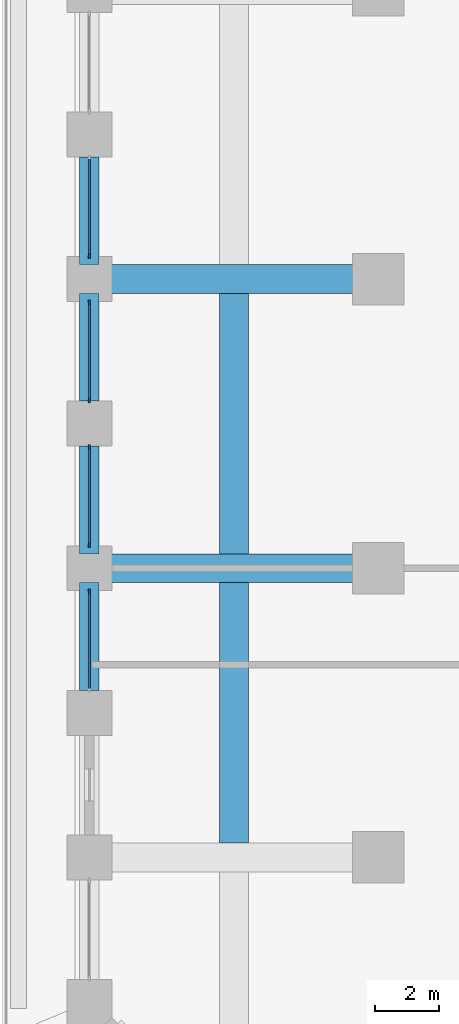
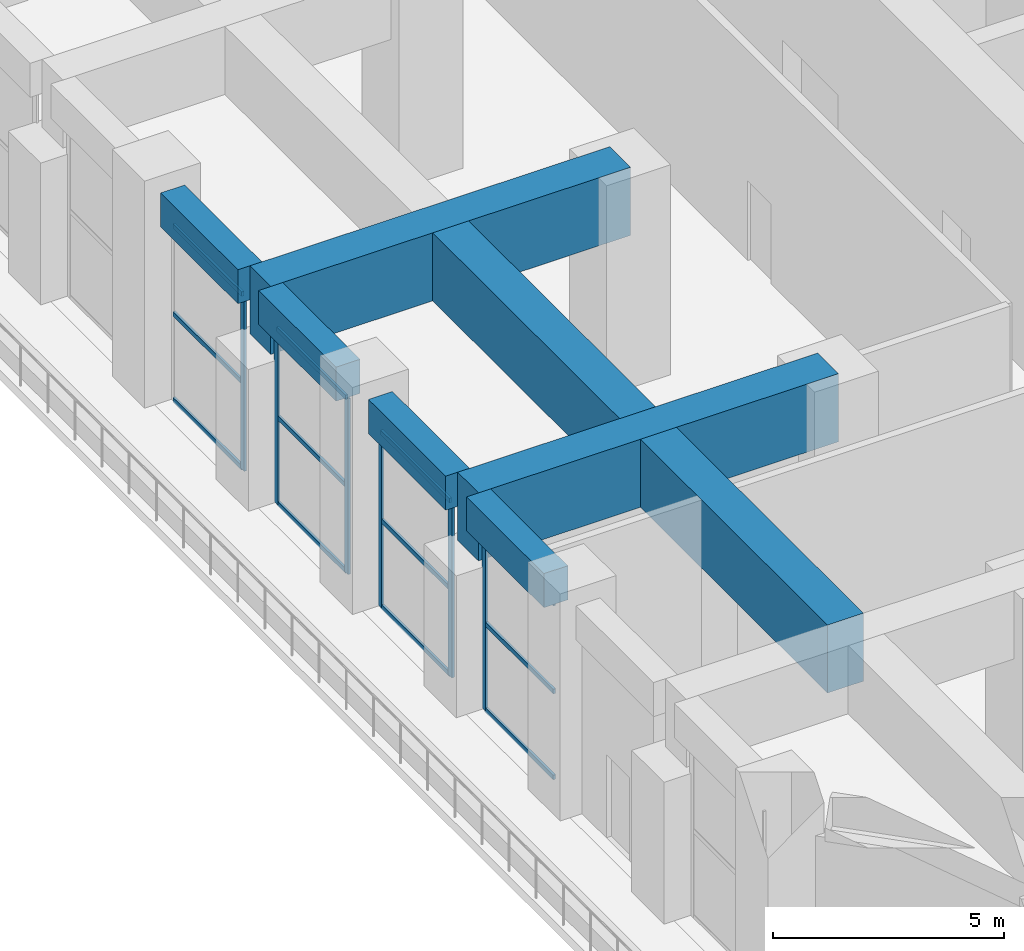
# One storey, part 3 of 21: 18 members, 8 beams, 4 elements without a shape of their own.
"""IFC4 building model written with IfcOpenShell, lengths in metres."""

from ifc_helpers import new_model, si_unit, direction, frame, origin, origin_2d, place, context, subcontext, project, spatial, rectangle, extrude, material, material_profile, profile_set, type_object, element, aggregate, save


model = new_model("IFC4")

# Units and contexts
model_context = context("Model", 3, precision=1e-05, world=origin(), true_north=direction((0.0, 1.0)))
body_context = subcontext(model_context, "Body", "Model", "MODEL_VIEW")
ifc_project = project(units=[si_unit("LENGTHUNIT", "METRE"), si_unit("AREAUNIT", "SQUARE_METRE"), si_unit("VOLUMEUNIT", "CUBIC_METRE"), si_unit("PLANEANGLEUNIT", "RADIAN"), si_unit("MASSUNIT", "GRAM", prefix="KILO")], contexts=[model_context])

# Site, building, storey
site_placement = place(None, origin())
site = spatial("IfcSite", under=ifc_project, at=site_placement, CompositionType="ELEMENT")
building_placement = place(site_placement, origin())
building = spatial("IfcBuilding", under=site, at=building_placement, Name="Corbel Stack Research Tower", CompositionType="ELEMENT")
storey_placement = place(building_placement, frame((0.0, 0.0, 35.89990234375)))
storey = spatial("IfcBuildingStorey", under=building, at=storey_placement, Name="L08", CompositionType="ELEMENT", Elevation=35.89990234375)

# Curtain wall, member
ifc_material_1 = material(Name="Aluminium frame, clear glass", Category="aluminium")
curtain_wall_type = type_object("IfcCurtainWallType", Name="Amenity floor curtain wall CW2", PredefinedType="NOTDEFINED", material=ifc_material_1)
curtain_wall_1_placement = place(storey_placement, origin())
curtain_wall_1 = element("IfcCurtainWall", 1, at=curtain_wall_1_placement, inside=storey, type_object=curtain_wall_type, Name="Curtain wall CW2 L08 W05", PredefinedType="NOTDEFINED")
ifc_material_2 = material(Name="Aluminium mullion", Category="aluminium")
ifc_material_profile_1 = material_profile(ifc_material_2, rectangle(XDim=0.06005859375, YDim=0.159912109375, at=origin_2d()), Name="Mullion 60 x 160")
ifc_profile_set_1 = profile_set([ifc_material_profile_1], Name="Aluminium mullion")
member_type_1 = type_object("IfcMemberType", Name="Curtain wall mullion 60 x 160", PredefinedType="MULLION", material=ifc_profile_set_1)
member_1_placement = place(storey_placement, frame((-27.0, 0.72998046875, 0.0), z_axis=(0.0, 0.0, 1.0), x_axis=(1.0, 0.0, 0.0)))
member_1 = element("IfcMember", 2, at=member_1_placement, type_object=member_type_1, Name="CW2 L08 W05 mullion 2", PredefinedType="MULLION", context=body_context, shape_type="SweptSolid", body=[
    extrude(rectangle(XDim=0.06005859375, YDim=0.159912109375, at=origin_2d()), origin(), (0.0, 0.0, 1.0), 4.650146484375),
])

# Curtain wall, members
curtain_wall_2_placement = place(storey_placement, origin())
curtain_wall_2 = element("IfcCurtainWall", 3, at=curtain_wall_2_placement, inside=storey, type_object=curtain_wall_type, Name="Curtain wall CW2 L08 W06", PredefinedType="NOTDEFINED")
member_2_placement = place(storey_placement, frame((-27.0, -0.72998046875, 0.0), z_axis=(0.0, 0.0, 1.0), x_axis=(1.0, 0.0, 0.0)))
member_2 = element("IfcMember", 4, at=member_2_placement, type_object=member_type_1, Name="CW2 L08 W06 mullion 1", PredefinedType="MULLION", context=body_context, shape_type="SweptSolid", body=[
    extrude(rectangle(XDim=0.06005859375, YDim=0.159912109375, at=origin_2d()), origin(), (0.0, 0.0, 1.0), 4.650146484375),
])
member_3_placement = place(storey_placement, frame((-27.0, -3.77001953125, 0.0), z_axis=(0.0, 0.0, 1.0), x_axis=(1.0, 0.0, 0.0)))
member_3 = element("IfcMember", 5, at=member_3_placement, type_object=member_type_1, Name="CW2 L08 W06 mullion 2", PredefinedType="MULLION", context=body_context, shape_type="SweptSolid", body=[
    extrude(rectangle(XDim=0.06005859375, YDim=0.159912109375, at=origin_2d()), origin(), (0.0, 0.0, 1.0), 4.650146484375),
])

curtain_wall_3_placement = place(storey_placement, origin())
curtain_wall_3 = element("IfcCurtainWall", 6, at=curtain_wall_3_placement, inside=storey, type_object=curtain_wall_type, Name="Curtain wall CW2 L08 W07", PredefinedType="NOTDEFINED")
member_4_placement = place(storey_placement, frame((-27.0, -5.22998046875, 0.0), z_axis=(0.0, 0.0, 1.0), x_axis=(1.0, 0.0, 0.0)))
member_4 = element("IfcMember", 7, at=member_4_placement, type_object=member_type_1, Name="CW2 L08 W07 mullion 1", PredefinedType="MULLION", context=body_context, shape_type="SweptSolid", body=[
    extrude(rectangle(XDim=0.06005859375, YDim=0.159912109375, at=origin_2d()), origin(), (0.0, 0.0, 1.0), 4.650146484375),
])
member_5_placement = place(storey_placement, frame((-27.0, -8.27001953125, 0.0), z_axis=(0.0, 0.0, 1.0), x_axis=(1.0, 0.0, 0.0)))
member_5 = element("IfcMember", 8, at=member_5_placement, type_object=member_type_1, Name="CW2 L08 W07 mullion 2", PredefinedType="MULLION", context=body_context, shape_type="SweptSolid", body=[
    extrude(rectangle(XDim=0.06005859375, YDim=0.159912109375, at=origin_2d()), origin(), (0.0, 0.0, 1.0), 4.650146484375),
])

# Curtain wall, member
curtain_wall_4_placement = place(storey_placement, origin())
curtain_wall_4 = element("IfcCurtainWall", 9, at=curtain_wall_4_placement, inside=storey, type_object=curtain_wall_type, Name="Curtain wall CW2 L08 W08", PredefinedType="NOTDEFINED")
member_6_placement = place(storey_placement, frame((-27.0, -9.72998046875, 0.0), z_axis=(0.0, 0.0, 1.0), x_axis=(1.0, 0.0, 0.0)))
member_6 = element("IfcMember", 10, at=member_6_placement, type_object=member_type_1, Name="CW2 L08 W08 mullion 1", PredefinedType="MULLION", context=body_context, shape_type="SweptSolid", body=[
    extrude(rectangle(XDim=0.06005859375, YDim=0.159912109375, at=origin_2d()), origin(), (0.0, 0.0, 1.0), 4.650146484375),
])

# Member
ifc_material_3 = material(Name="Aluminium transom", Category="aluminium")
ifc_material_profile_2 = material_profile(ifc_material_3, rectangle(XDim=0.06005859375, YDim=0.1201171875, at=origin_2d()), Name="Transom 60 x 120")
ifc_profile_set_2 = profile_set([ifc_material_profile_2], Name="Aluminium transom")
member_type_2 = type_object("IfcMemberType", Name="Curtain wall transom 60 x 120", PredefinedType="USERDEFINED", material=ifc_profile_set_2)
member_7_placement = place(storey_placement, frame((-27.0, 3.739990234375, 0.030029296875), z_axis=(0.0, -1.0, 0.0), x_axis=(1.0, 0.0, 0.0)))
member_7 = element("IfcMember", 11, at=member_7_placement, type_object=member_type_2, Name="CW2 L08 W05 transom 1.1", ObjectType="TRANSOM", PredefinedType="USERDEFINED", context=body_context, shape_type="SweptSolid", body=[
    extrude(rectangle(XDim=0.06005859375, YDim=0.1201171875, at=origin_2d()), origin(), (0.0, 0.0, 1.0), 2.97998046875),
])

member_8_placement = place(storey_placement, frame((-27.0, 3.739990234375, 2.300048828125), z_axis=(0.0, -1.0, 0.0), x_axis=(1.0, 0.0, 0.0)))
member_8 = element("IfcMember", 12, at=member_8_placement, type_object=member_type_2, Name="CW2 L08 W05 transom 1.2", ObjectType="TRANSOM", PredefinedType="USERDEFINED", context=body_context, shape_type="SweptSolid", body=[
    extrude(rectangle(XDim=0.06005859375, YDim=0.1201171875, at=origin_2d()), origin(), (0.0, 0.0, 1.0), 2.97998046875),
])

member_9_placement = place(storey_placement, frame((-27.0, 3.739990234375, 4.6201171875), z_axis=(0.0, -1.0, 0.0), x_axis=(1.0, 0.0, 0.0)))
member_9 = element("IfcMember", 13, at=member_9_placement, type_object=member_type_2, Name="CW2 L08 W05 transom 1.3", ObjectType="TRANSOM", PredefinedType="USERDEFINED", context=body_context, shape_type="SweptSolid", body=[
    extrude(rectangle(XDim=0.06005859375, YDim=0.1201171875, at=origin_2d()), origin(), (0.0, 0.0, 1.0), 2.97998046875),
])

aggregate(curtain_wall_1, [member_1, member_7, member_8, member_9])

member_10_placement = place(storey_placement, frame((-27.0, -0.760009765625, 0.030029296875), z_axis=(0.0, -1.0, 0.0), x_axis=(1.0, 0.0, 0.0)))
member_10 = element("IfcMember", 14, at=member_10_placement, type_object=member_type_2, Name="CW2 L08 W06 transom 1.1", ObjectType="TRANSOM", PredefinedType="USERDEFINED", context=body_context, shape_type="SweptSolid", body=[
    extrude(rectangle(XDim=0.06005859375, YDim=0.1201171875, at=origin_2d()), origin(), (0.0, 0.0, 1.0), 2.97998046875),
])

member_11_placement = place(storey_placement, frame((-27.0, -0.760009765625, 2.300048828125), z_axis=(0.0, -1.0, 0.0), x_axis=(1.0, 0.0, 0.0)))
member_11 = element("IfcMember", 15, at=member_11_placement, type_object=member_type_2, Name="CW2 L08 W06 transom 1.2", ObjectType="TRANSOM", PredefinedType="USERDEFINED", context=body_context, shape_type="SweptSolid", body=[
    extrude(rectangle(XDim=0.06005859375, YDim=0.1201171875, at=origin_2d()), origin(), (0.0, 0.0, 1.0), 2.97998046875),
])

member_12_placement = place(storey_placement, frame((-27.0, -0.760009765625, 4.6201171875), z_axis=(0.0, -1.0, 0.0), x_axis=(1.0, 0.0, 0.0)))
member_12 = element("IfcMember", 16, at=member_12_placement, type_object=member_type_2, Name="CW2 L08 W06 transom 1.3", ObjectType="TRANSOM", PredefinedType="USERDEFINED", context=body_context, shape_type="SweptSolid", body=[
    extrude(rectangle(XDim=0.06005859375, YDim=0.1201171875, at=origin_2d()), origin(), (0.0, 0.0, 1.0), 2.97998046875),
])

aggregate(curtain_wall_2, [member_2, member_3, member_10, member_11, member_12])

member_13_placement = place(storey_placement, frame((-27.0, -5.260009765625, 0.030029296875), z_axis=(0.0, -1.0, 0.0), x_axis=(1.0, 0.0, 0.0)))
member_13 = element("IfcMember", 17, at=member_13_placement, type_object=member_type_2, Name="CW2 L08 W07 transom 1.1", ObjectType="TRANSOM", PredefinedType="USERDEFINED", context=body_context, shape_type="SweptSolid", body=[
    extrude(rectangle(XDim=0.06005859375, YDim=0.1201171875, at=origin_2d()), origin(), (0.0, 0.0, 1.0), 2.97998046875),
])

member_14_placement = place(storey_placement, frame((-27.0, -5.260009765625, 2.300048828125), z_axis=(0.0, -1.0, 0.0), x_axis=(1.0, 0.0, 0.0)))
member_14 = element("IfcMember", 18, at=member_14_placement, type_object=member_type_2, Name="CW2 L08 W07 transom 1.2", ObjectType="TRANSOM", PredefinedType="USERDEFINED", context=body_context, shape_type="SweptSolid", body=[
    extrude(rectangle(XDim=0.06005859375, YDim=0.1201171875, at=origin_2d()), origin(), (0.0, 0.0, 1.0), 2.97998046875),
])

member_15_placement = place(storey_placement, frame((-27.0, -5.260009765625, 4.6201171875), z_axis=(0.0, -1.0, 0.0), x_axis=(1.0, 0.0, 0.0)))
member_15 = element("IfcMember", 19, at=member_15_placement, type_object=member_type_2, Name="CW2 L08 W07 transom 1.3", ObjectType="TRANSOM", PredefinedType="USERDEFINED", context=body_context, shape_type="SweptSolid", body=[
    extrude(rectangle(XDim=0.06005859375, YDim=0.1201171875, at=origin_2d()), origin(), (0.0, 0.0, 1.0), 2.97998046875),
])

aggregate(curtain_wall_3, [member_4, member_5, member_13, member_14, member_15])

member_16_placement = place(storey_placement, frame((-27.0, -9.760009765625, 0.030029296875), z_axis=(0.0, -1.0, 0.0), x_axis=(1.0, 0.0, 0.0)))
member_16 = element("IfcMember", 20, at=member_16_placement, type_object=member_type_2, Name="CW2 L08 W08 transom 1.1", ObjectType="TRANSOM", PredefinedType="USERDEFINED", context=body_context, shape_type="SweptSolid", body=[
    extrude(rectangle(XDim=0.06005859375, YDim=0.1201171875, at=origin_2d()), origin(), (0.0, 0.0, 1.0), 2.97998046875),
])

member_17_placement = place(storey_placement, frame((-27.0, -9.760009765625, 2.300048828125), z_axis=(0.0, -1.0, 0.0), x_axis=(1.0, 0.0, 0.0)))
member_17 = element("IfcMember", 21, at=member_17_placement, type_object=member_type_2, Name="CW2 L08 W08 transom 1.2", ObjectType="TRANSOM", PredefinedType="USERDEFINED", context=body_context, shape_type="SweptSolid", body=[
    extrude(rectangle(XDim=0.06005859375, YDim=0.1201171875, at=origin_2d()), origin(), (0.0, 0.0, 1.0), 2.97998046875),
])

member_18_placement = place(storey_placement, frame((-27.0, -9.760009765625, 4.6201171875), z_axis=(0.0, -1.0, 0.0), x_axis=(1.0, 0.0, 0.0)))
member_18 = element("IfcMember", 22, at=member_18_placement, type_object=member_type_2, Name="CW2 L08 W08 transom 1.3", ObjectType="TRANSOM", PredefinedType="USERDEFINED", context=body_context, shape_type="SweptSolid", body=[
    extrude(rectangle(XDim=0.06005859375, YDim=0.1201171875, at=origin_2d()), origin(), (0.0, 0.0, 1.0), 2.97998046875),
])

aggregate(curtain_wall_4, [member_6, member_16, member_17, member_18])

# Beams
ifc_material_4 = material(Name="Concrete C60/75", Category="concrete")
ifc_material_profile_3 = material_profile(ifc_material_4, rectangle(XDim=0.60009765625, YDim=0.89990234375, at=origin_2d()), Name="RC 600 x 900")
ifc_profile_set_3 = profile_set([ifc_material_profile_3], Name="Concrete C60/75")
beam_type_1 = type_object("IfcBeamType", Name="SB-600-900-450", PredefinedType="SPANDREL", material=ifc_profile_set_3)
for number, where, z_axis, x_axis, name in (
    (23, (-27.0, 3.800048828125, 5.10009765625), (0.0, -1.0, 0.0), (1.0, 0.0, 0.0), "Spandrel beam L08-38"),
    (24, (-27.0, -0.449951171875, 5.10009765625), (0.0, -1.0, 0.0), (1.0, 0.0, 0.0), "Spandrel beam L08-39"),
    (25, (-27.0, -5.199951171875, 5.10009765625), (0.0, -1.0, 0.0), (1.0, 0.0, 0.0), "Spandrel beam L08-40"),
    (26, (-27.0, -9.449951171875, 5.10009765625), (0.0, -1.0, 0.0), (1.0, 0.0, 0.0), "Spandrel beam L08-41"),
):
    element("IfcBeam", number, at=place(storey_placement, frame(where, z_axis=z_axis, x_axis=x_axis)), inside=storey, type_object=beam_type_1, Name=name, PredefinedType="SPANDREL", context=body_context, shape_type="SweptSolid", body=[
        extrude(rectangle(XDim=0.60009765625, YDim=0.89990234375, at=origin_2d()), origin(), (0.0, 0.0, 1.0), 3.35009765625),
    ])
ifc_material_5 = material(Name="Concrete C60/75", Category="concrete")
ifc_material_profile_4 = material_profile(ifc_material_5, rectangle(XDim=0.89990234375, YDim=1.800048828125, at=origin_2d()), Name="RC 900 x 1800")
ifc_profile_set_4 = profile_set([ifc_material_profile_4], Name="Concrete C60/75")
beam_type_2 = type_object("IfcBeamType", Name="TG-900-1800", PredefinedType="BEAM", material=ifc_profile_set_4)
for number, where, z_axis, x_axis, name in (
    (27, (-27.0, -9.0, 4.650146484375), (1.0, 0.0, 0.0), (0.0, 1.0, 0.0), "Transfer cross girder L08 Wx-9"),
    (28, (-27.0, 0.0, 4.650146484375), (1.0, 0.0, 0.0), (0.0, 1.0, 0.0), "Transfer cross girder L08 Wx0"),
):
    element("IfcBeam", number, at=place(storey_placement, frame(where, z_axis=z_axis, x_axis=x_axis)), inside=storey, type_object=beam_type_2, Name=name, PredefinedType="BEAM", context=body_context, shape_type="SweptSolid", body=[
        extrude(rectangle(XDim=0.89990234375, YDim=1.800048828125, at=origin_2d()), origin(), (0.0, 0.0, 1.0), 9.0),
    ])
for number, where, z_axis, x_axis, name in (
    (29, (-22.5, -17.550048828125, 4.650146484375), (0.0, 1.0, 0.0), (-1.0, 0.0, 0.0), "Transfer girder along the step L08 Wl-18"),
    (30, (-22.5, -8.550048828125, 4.650146484375), (0.0, 1.0, 0.0), (-1.0, 0.0, 0.0), "Transfer girder along the step L08 Wl-9"),
):
    element("IfcBeam", number, at=place(storey_placement, frame(where, z_axis=z_axis, x_axis=x_axis)), inside=storey, type_object=beam_type_2, Name=name, PredefinedType="BEAM", context=body_context, shape_type="SweptSolid", body=[
        extrude(rectangle(XDim=0.89990234375, YDim=1.800048828125, at=origin_2d()), origin(), (0.0, 0.0, 1.0), 8.10009765625),
    ])

save(model, "model.ifc")
